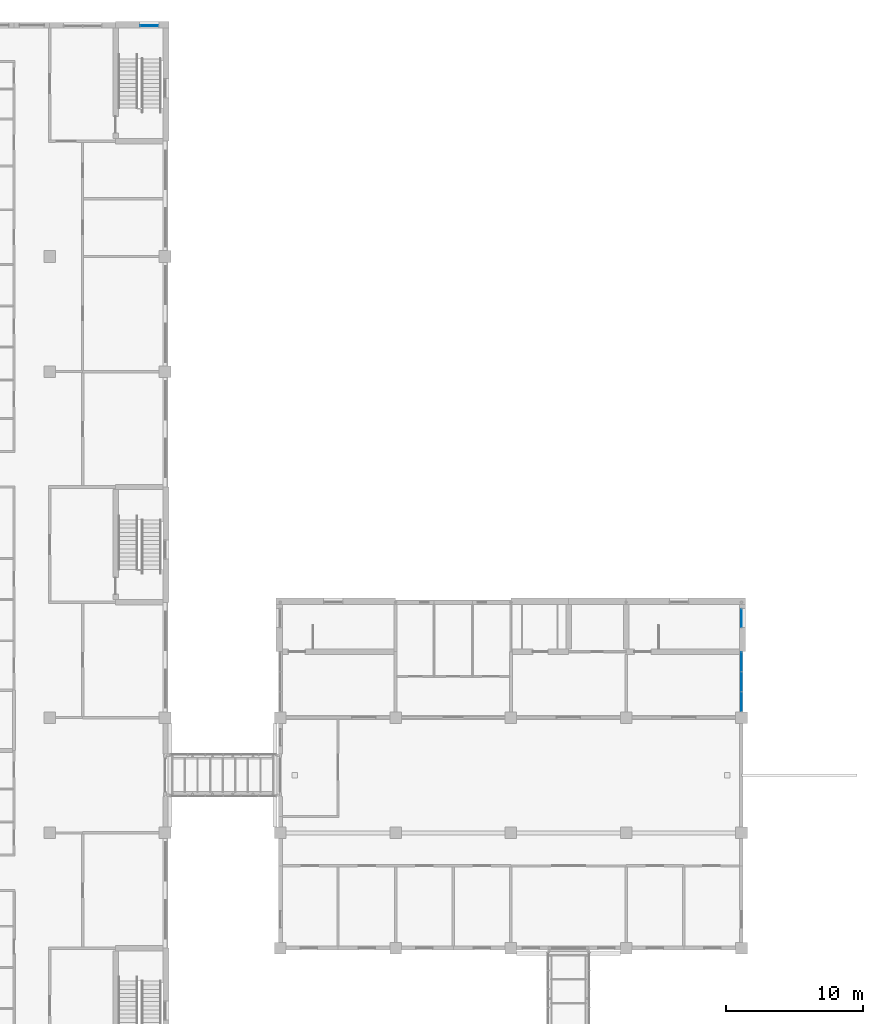
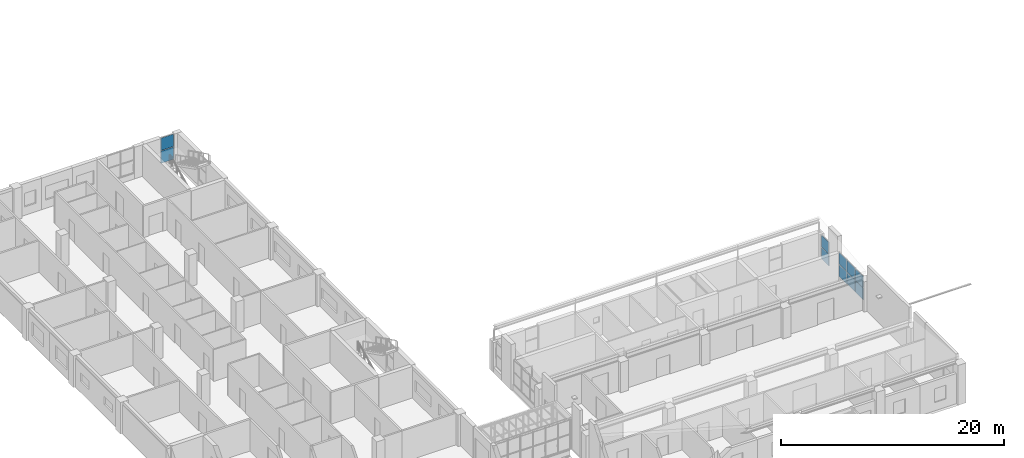
# One storey, part 48 of 94: 10 plates, 3 elements without a shape of their own.
"""IFC4 building model written with IfcOpenShell, lengths in metres."""

from ifc_helpers import new_model, si_unit, direction, frame, origin, origin_2d, place, context, subcontext, project, spatial, rectangle, extrude, material, layer, layer_set, type_object, element, aggregate, save


model = new_model("IFC4")

# Units and contexts
model_context = context("Model", 3, precision=1e-05, world=origin(), true_north=direction((0.0, 1.0)))
body_context = subcontext(model_context, "Body", "Model", "MODEL_VIEW")
ifc_project = project(units=[si_unit("LENGTHUNIT", "METRE"), si_unit("AREAUNIT", "SQUARE_METRE"), si_unit("VOLUMEUNIT", "CUBIC_METRE"), si_unit("PLANEANGLEUNIT", "RADIAN"), si_unit("MASSUNIT", "GRAM", prefix="KILO")], contexts=[model_context])

# Site, building, storey
site_placement = place(None, origin())
site = spatial("IfcSite", under=ifc_project, at=site_placement, CompositionType="ELEMENT")
building_placement = place(site_placement, origin())
building = spatial("IfcBuilding", under=site, at=building_placement, Name="Yavir Park General Hospital", CompositionType="ELEMENT")
storey_placement = place(building_placement, frame((0.0, 0.0, 4.5)))
storey = spatial("IfcBuildingStorey", under=building, at=storey_placement, Name="L01", CompositionType="ELEMENT", Elevation=4.5)

# Curtain wall, plates
ifc_material_1 = material(Name="Aluminium curtain wall frame with insulated glazing", Category="aluminium")
curtain_wall_type_1 = type_object("IfcCurtainWallType", Name="Clinical corridor end glazing, 2700 high, 1400 module", PredefinedType="NOTDEFINED", material=ifc_material_1)
curtain_wall_1_placement = place(storey_placement, origin())
curtain_wall_1 = element("IfcCurtainWall", 1, at=curtain_wall_1_placement, inside=storey, type_object=curtain_wall_type_1, Name="CW54 L01-026", PredefinedType="NOTDEFINED")
ifc_material_2 = material(Name="Solar-control insulated glazed unit 40 mm")
ifc_layer_1 = layer(ifc_material_2, 0.0400390625)
ifc_layer_set_1 = layer_set([ifc_layer_1], Name="Solar-control insulated glazed unit 40 mm")
plate_type_1 = type_object("IfcPlateType", Name="Clinical corridor end glazing, 2700 high panel 40", PredefinedType="CURTAIN_PANEL", material=ifc_layer_set_1)
plate_1_placement = place(storey_placement, frame((67.199951171875, 68.36669921875, 0.650146484375), z_axis=(0.0, 0.0, 1.0), x_axis=(0.0, 1.0, 0.0)))
plate_1 = element("IfcPlate", 2, at=plate_1_placement, type_object=plate_type_1, Name="CW54 panel 1.1", PredefinedType="CURTAIN_PANEL", context=body_context, shape_type="SweptSolid", body=[
    extrude(rectangle(XDim=1.38330078125, YDim=0.0400390625, at=origin_2d()), origin(), (0.0, 0.0, 1.0), 1.27490234375),
])
plate_2_placement = place(storey_placement, frame((67.199951171875, 68.36669921875, 1.97509765625), z_axis=(0.0, 0.0, 1.0), x_axis=(0.0, 1.0, 0.0)))
plate_2 = element("IfcPlate", 3, at=plate_2_placement, type_object=plate_type_1, Name="CW54 panel 1.2", PredefinedType="CURTAIN_PANEL", context=body_context, shape_type="SweptSolid", body=[
    extrude(rectangle(XDim=1.38330078125, YDim=0.0400390625, at=origin_2d()), origin(), (0.0, 0.0, 1.0), 1.27490234375),
])
plate_3_placement = place(storey_placement, frame((67.199951171875, 69.8125, 0.650146484375), z_axis=(0.0, 0.0, 1.0), x_axis=(0.0, 1.0, 0.0)))
plate_3 = element("IfcPlate", 4, at=plate_3_placement, type_object=plate_type_1, Name="CW54 panel 2.1", PredefinedType="CURTAIN_PANEL", context=body_context, shape_type="SweptSolid", body=[
    extrude(rectangle(XDim=1.408447265625, YDim=0.0400390625, at=origin_2d()), origin(), (0.0, 0.0, 1.0), 1.27490234375),
])
plate_4_placement = place(storey_placement, frame((67.199951171875, 69.8125, 1.97509765625), z_axis=(0.0, 0.0, 1.0), x_axis=(0.0, 1.0, 0.0)))
plate_4 = element("IfcPlate", 5, at=plate_4_placement, type_object=plate_type_1, Name="CW54 panel 2.2", PredefinedType="CURTAIN_PANEL", context=body_context, shape_type="SweptSolid", body=[
    extrude(rectangle(XDim=1.408447265625, YDim=0.0400390625, at=origin_2d()), origin(), (0.0, 0.0, 1.0), 1.27490234375),
])
plate_5_placement = place(storey_placement, frame((67.199951171875, 71.25830078125, 0.650146484375), z_axis=(0.0, 0.0, 1.0), x_axis=(0.0, 1.0, 0.0)))
plate_5 = element("IfcPlate", 6, at=plate_5_placement, type_object=plate_type_1, Name="CW54 panel 3.1", PredefinedType="CURTAIN_PANEL", context=body_context, shape_type="SweptSolid", body=[
    extrude(rectangle(XDim=1.38330078125, YDim=0.0400390625, at=origin_2d()), origin(), (0.0, 0.0, 1.0), 1.27490234375),
])
plate_6_placement = place(storey_placement, frame((67.199951171875, 71.25830078125, 1.97509765625), z_axis=(0.0, 0.0, 1.0), x_axis=(0.0, 1.0, 0.0)))
plate_6 = element("IfcPlate", 7, at=plate_6_placement, type_object=plate_type_1, Name="CW54 panel 3.2", PredefinedType="CURTAIN_PANEL", context=body_context, shape_type="SweptSolid", body=[
    extrude(rectangle(XDim=1.38330078125, YDim=0.0400390625, at=origin_2d()), origin(), (0.0, 0.0, 1.0), 1.27490234375),
])
aggregate(curtain_wall_1, [plate_1, plate_2, plate_3, plate_4, plate_5, plate_6])

ifc_material_3 = material(Name="Aluminium curtain wall frame with insulated glazing", Category="aluminium")
curtain_wall_type_2 = type_object("IfcCurtainWallType", Name="Stair light slot, podium, 2700 high, 1400 module", PredefinedType="NOTDEFINED", material=ifc_material_3)
curtain_wall_2_placement = place(storey_placement, origin())
curtain_wall_2 = element("IfcCurtainWall", 8, at=curtain_wall_2_placement, inside=storey, type_object=curtain_wall_type_2, Name="CW53 L01-027", PredefinedType="NOTDEFINED")
ifc_material_4 = material(Name="Fire-resisting glazed unit 70 mm")
ifc_layer_2 = layer(ifc_material_4, 0.070068359375)
ifc_layer_set_2 = layer_set([ifc_layer_2], Name="Fire-resisting glazed unit 70 mm")
plate_type_2 = type_object("IfcPlateType", Name="Stair light slot, podium, 2700 high panel 70", PredefinedType="CURTAIN_PANEL", material=ifc_layer_set_2)
plate_7_placement = place(storey_placement, frame((67.199951171875, 74.449951171875, 0.650146484375), z_axis=(0.0, 0.0, 1.0), x_axis=(0.0, 1.0, 0.0)))
plate_7 = element("IfcPlate", 9, at=plate_7_placement, type_object=plate_type_2, Name="CW53 panel 1.1", PredefinedType="CURTAIN_PANEL", context=body_context, shape_type="SweptSolid", body=[
    extrude(rectangle(XDim=1.300048828125, YDim=0.070068359375, at=origin_2d()), origin(), (0.0, 0.0, 1.0), 1.27490234375),
])
plate_8_placement = place(storey_placement, frame((67.199951171875, 74.449951171875, 1.97509765625), z_axis=(0.0, 0.0, 1.0), x_axis=(0.0, 1.0, 0.0)))
plate_8 = element("IfcPlate", 10, at=plate_8_placement, type_object=plate_type_2, Name="CW53 panel 1.2", PredefinedType="CURTAIN_PANEL", context=body_context, shape_type="SweptSolid", body=[
    extrude(rectangle(XDim=1.300048828125, YDim=0.070068359375, at=origin_2d()), origin(), (0.0, 0.0, 1.0), 1.27490234375),
])
aggregate(curtain_wall_2, [plate_7, plate_8])

ifc_material_5 = material(Name="Aluminium curtain wall frame with insulated glazing", Category="aluminium")
curtain_wall_type_3 = type_object("IfcCurtainWallType", Name="Stair light slot, podium, 2850 high, 1400 module", PredefinedType="NOTDEFINED", material=ifc_material_5)
curtain_wall_3_placement = place(storey_placement, origin())
curtain_wall_3 = element("IfcCurtainWall", 11, at=curtain_wall_3_placement, inside=storey, type_object=curtain_wall_type_3, Name="CW9 L01-012", PredefinedType="NOTDEFINED")
ifc_material_6 = material(Name="Fire-resisting glazed unit 70 mm")
ifc_layer_3 = layer(ifc_material_6, 0.070068359375)
ifc_layer_set_3 = layer_set([ifc_layer_3], Name="Fire-resisting glazed unit 70 mm")
plate_type_3 = type_object("IfcPlateType", Name="Stair light slot, podium, 2850 high panel 70", PredefinedType="CURTAIN_PANEL", material=ifc_layer_set_3)
plate_9_placement = place(storey_placement, frame((24.050048828125, 117.60009765625, 0.64990234375), z_axis=(0.0, 0.0, 1.0), x_axis=(1.0, 0.0, 0.0)))
plate_9 = element("IfcPlate", 12, at=plate_9_placement, type_object=plate_type_3, Name="CW9 panel 1.1", PredefinedType="CURTAIN_PANEL", context=body_context, shape_type="SweptSolid", body=[
    extrude(rectangle(XDim=1.300048828125, YDim=0.070068359375, at=origin_2d()), origin(), (0.0, 0.0, 1.0), 1.35009765625),
])
plate_10_placement = place(storey_placement, frame((24.050048828125, 117.60009765625, 2.050048828125), z_axis=(0.0, 0.0, 1.0), x_axis=(1.0, 0.0, 0.0)))
plate_10 = element("IfcPlate", 13, at=plate_10_placement, type_object=plate_type_3, Name="CW9 panel 1.2", PredefinedType="CURTAIN_PANEL", context=body_context, shape_type="SweptSolid", body=[
    extrude(rectangle(XDim=1.300048828125, YDim=0.070068359375, at=origin_2d()), origin(), (0.0, 0.0, 1.0), 1.35009765625),
])
aggregate(curtain_wall_3, [plate_9, plate_10])

save(model, "model.ifc")
